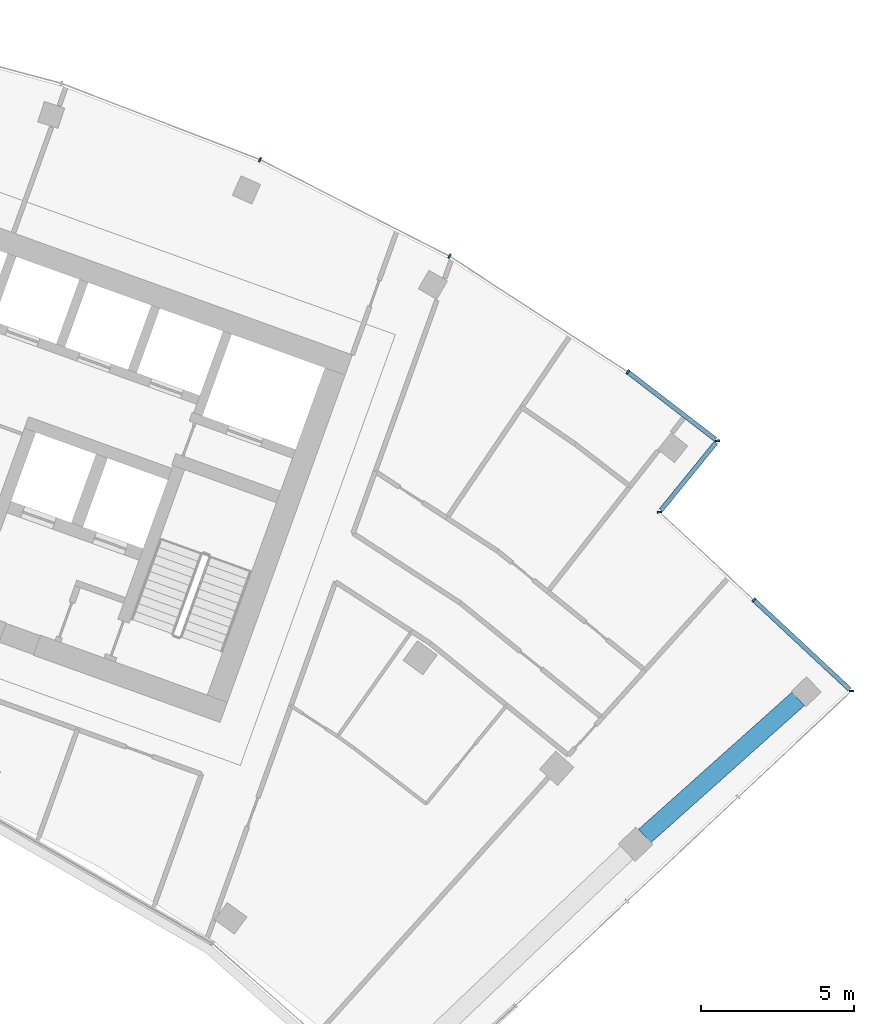
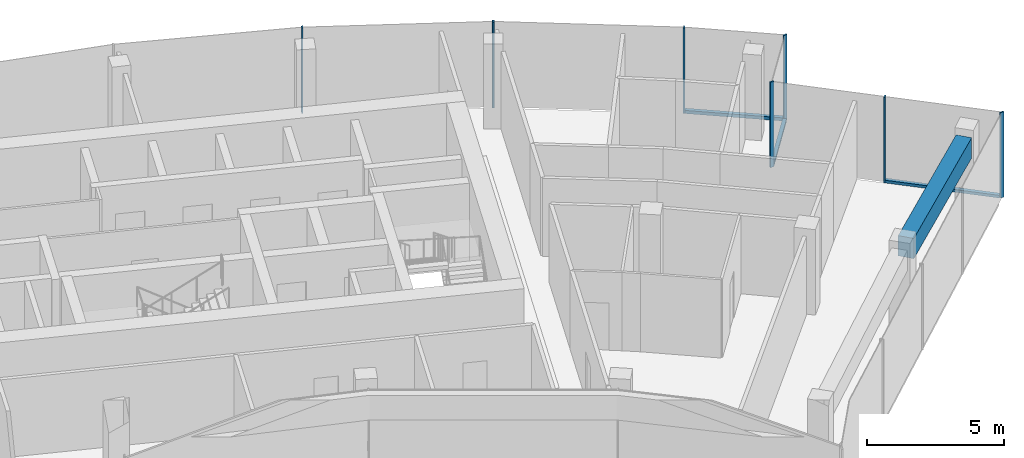
# One storey, part 9 of 18: 10 members, 1 beam, 3 elements without a shape of their own.
"""IFC4 building model written with IfcOpenShell, lengths in metres."""

from ifc_helpers import new_model, si_unit, direction, frame, origin, origin_2d, place, context, subcontext, project, spatial, rectangle, extrude, material, layer, layer_set, material_profile, profile_set, type_object, element, aggregate, save


model = new_model("IFC4")

# Units and contexts
model_context = context("Model", 3, precision=1e-05, world=origin(), true_north=direction((0.0, 1.0)))
body_context = subcontext(model_context, "Body", "Model", "MODEL_VIEW")
ifc_project = project(units=[si_unit("LENGTHUNIT", "METRE"), si_unit("AREAUNIT", "SQUARE_METRE"), si_unit("VOLUMEUNIT", "CUBIC_METRE"), si_unit("PLANEANGLEUNIT", "RADIAN"), si_unit("MASSUNIT", "GRAM", prefix="KILO")], contexts=[model_context])

# Site, building, storey
site_placement = place(None, origin())
site = spatial("IfcSite", under=ifc_project, at=site_placement, CompositionType="ELEMENT")
building_placement = place(site_placement, origin())
building = spatial("IfcBuilding", under=site, at=building_placement, Name="Stone Belt Terrace Tower", CompositionType="ELEMENT")
storey_placement = place(building_placement, frame((0.0, 0.0, 273.199951171875)))
storey = spatial("IfcBuildingStorey", under=building, at=storey_placement, Name="L66", CompositionType="ELEMENT", Elevation=273.199951171875)

# Curtain wall, members
ifc_material_1 = material(Name="Aluminium 6063-T6 anodised frame", Category="aluminium")
ifc_layer_1 = layer(ifc_material_1, 0.14990234375)
ifc_layer_set_1 = layer_set([ifc_layer_1], Name="CW-A unitised convex-face curtain wall")
curtain_wall_type_1 = type_object("IfcCurtainWallType", Name="CW-A unitised convex-face curtain wall", PredefinedType="NOTDEFINED", material=ifc_layer_set_1)
curtain_wall_1_placement = place(storey_placement, origin())
curtain_wall_1 = element("IfcCurtainWall", 1, at=curtain_wall_1_placement, inside=storey, type_object=curtain_wall_type_1, Name="CW-A convex face L66", PredefinedType="NOTDEFINED")
ifc_material_profile_1 = material_profile(ifc_material_1, rectangle(XDim=0.14990234375, YDim=0.06005859375, at=origin_2d()), Name="Aluminium 6063-T6 60x150")
ifc_profile_set_1 = profile_set([ifc_material_profile_1], Name="Aluminium 6063-T6 anodised frame")
member_type_1 = type_object("IfcMemberType", Name="CW-A mullion 60 x 150", PredefinedType="MULLION", material=ifc_profile_set_1)
member_1_placement = place(storey_placement, frame((42.068359375, 51.60205078125, 0.0), z_axis=(0.0, 0.0, 1.0), x_axis=(-0.993258004644, -0.115924700604, 0.0)))
member_1 = element("IfcMember", 2, at=member_1_placement, type_object=member_type_1, Name="CW-A mullion 1", PredefinedType="MULLION", context=body_context, shape_type="SweptSolid", body=[
    extrude(rectangle(XDim=0.14990234375, YDim=0.06005859375, at=origin_2d()), origin(), (0.0, 0.0, 1.0), 3.800048828125),
])
member_2_placement = place(storey_placement, frame((39.131103515625, 53.86083984375, 0.0), z_axis=(0.0, 0.0, 1.0), x_axis=(-0.577587125789, -0.816329046477, 0.0)))
member_2 = element("IfcMember", 3, at=member_2_placement, type_object=member_type_1, Name="CW-A mullion 2", PredefinedType="MULLION", context=body_context, shape_type="SweptSolid", body=[
    extrude(rectangle(XDim=0.14990234375, YDim=0.06005859375, at=origin_2d()), origin(), (0.0, 0.0, 1.0), 3.800048828125),
])
member_3_placement = place(storey_placement, frame((33.28759765625, 57.65576171875, 0.0), z_axis=(0.0, 0.0, 1.0), x_axis=(-0.5, -0.866025403784, 0.0)))
member_3 = element("IfcMember", 4, at=member_3_placement, type_object=member_type_1, Name="CW-A mullion 3", PredefinedType="MULLION", context=body_context, shape_type="SweptSolid", body=[
    extrude(rectangle(XDim=0.14990234375, YDim=0.06005859375, at=origin_2d()), origin(), (0.0, 0.0, 1.0), 3.800048828125),
])
member_4_placement = place(storey_placement, frame((27.07861328125, 60.8193359375, 0.0), z_axis=(0.0, 0.0, 1.0), x_axis=(-0.406736643076, -0.913545457643, 0.0)))
member_4 = element("IfcMember", 5, at=member_4_placement, type_object=member_type_1, Name="CW-A mullion 4", PredefinedType="MULLION", context=body_context, shape_type="SweptSolid", body=[
    extrude(rectangle(XDim=0.14990234375, YDim=0.06005859375, at=origin_2d()), origin(), (0.0, 0.0, 1.0), 3.800048828125),
])
ifc_material_profile_2 = material_profile(ifc_material_1, rectangle(XDim=0.14990234375, YDim=0.139892578125, at=origin_2d()), Name="Aluminium 6063-T6 150x140")
ifc_profile_set_2 = profile_set([ifc_material_profile_2], Name="Aluminium 6063-T6 anodised frame")
member_type_2 = type_object("IfcMemberType", Name="CW-A transom 140 x 150", PredefinedType="USERDEFINED", material=ifc_profile_set_2)
member_5_placement = place(storey_placement, frame((42.00927734375, 51.6474609375, 0.070068359375), z_axis=(-0.79269461464, 0.609618936648, 0.0), x_axis=(-0.609618936648, -0.79269461464, 0.0)))
member_5 = element("IfcMember", 6, at=member_5_placement, type_object=member_type_2, Name="CW-A transom 1.1", ObjectType="TRANSOM", PredefinedType="USERDEFINED", context=body_context, shape_type="SweptSolid", body=[
    extrude(rectangle(XDim=0.14990234375, YDim=0.139892578125, at=origin_2d()), origin(), (0.0, 0.0, 1.0), 3.597900390625),
])
aggregate(curtain_wall_1, [member_1, member_2, member_3, member_4, member_5])

ifc_layer_2 = layer(ifc_material_1, 0.14990234375)
ifc_layer_set_2 = layer_set([ifc_layer_2], Name="CW-C stick curtain wall, horn ends and notches")
curtain_wall_type_2 = type_object("IfcCurtainWallType", Name="CW-C stick curtain wall, horn ends and notches", PredefinedType="NOTDEFINED", material=ifc_layer_set_2)
curtain_wall_2_placement = place(storey_placement, origin())
curtain_wall_2 = element("IfcCurtainWall", 7, at=curtain_wall_2_placement, inside=storey, type_object=curtain_wall_type_2, Name="CW-C notch face L66", PredefinedType="NOTDEFINED")
ifc_material_profile_3 = material_profile(ifc_material_1, rectangle(XDim=0.14990234375, YDim=0.06005859375, at=origin_2d()), Name="Aluminium 6063-T6 60x150")
ifc_profile_set_3 = profile_set([ifc_material_profile_3], Name="Aluminium 6063-T6 anodised frame")
member_type_3 = type_object("IfcMemberType", Name="CW-C mullion 60 x 150", PredefinedType="MULLION", material=ifc_profile_set_3)
member_6_placement = place(storey_placement, frame((46.458740234375, 43.405517578125, 0.0), z_axis=(0.0, 0.0, 1.0), x_axis=(-0.999999447771, -0.00105093149, 0.0)))
member_6 = element("IfcMember", 8, at=member_6_placement, type_object=member_type_3, Name="CW-C mullion 1", PredefinedType="MULLION", context=body_context, shape_type="SweptSolid", body=[
    extrude(rectangle(XDim=0.14990234375, YDim=0.06005859375, at=origin_2d()), origin(), (0.0, 0.0, 1.0), 3.800048828125),
])
member_7_placement = place(storey_placement, frame((43.260009765625, 46.388671875, 0.0), z_axis=(0.0, 0.0, 1.0), x_axis=(-0.682013767261, -0.731339333871, 0.0)))
member_7 = element("IfcMember", 9, at=member_7_placement, type_object=member_type_3, Name="CW-C mullion 2", PredefinedType="MULLION", context=body_context, shape_type="SweptSolid", body=[
    extrude(rectangle(XDim=0.14990234375, YDim=0.06005859375, at=origin_2d()), origin(), (0.0, 0.0, 1.0), 3.800048828125),
])

# Curtain wall, member
curtain_wall_3_placement = place(storey_placement, origin())
curtain_wall_3 = element("IfcCurtainWall", 10, at=curtain_wall_3_placement, inside=storey, type_object=curtain_wall_type_2, Name="CW-C notch face L66", PredefinedType="NOTDEFINED")
member_8_placement = place(storey_placement, frame((40.1708984375, 49.269287109375, 0.0), z_axis=(0.0, 0.0, 1.0), x_axis=(-0.997639702696, -0.068666029474, 0.0)))
member_8 = element("IfcMember", 11, at=member_8_placement, type_object=member_type_3, Name="CW-C mullion 1", PredefinedType="MULLION", context=body_context, shape_type="SweptSolid", body=[
    extrude(rectangle(XDim=0.14990234375, YDim=0.06005859375, at=origin_2d()), origin(), (0.0, 0.0, 1.0), 3.800048828125),
])

# Member
ifc_material_profile_4 = material_profile(ifc_material_1, rectangle(XDim=0.14990234375, YDim=0.1201171875, at=origin_2d()), Name="Aluminium 6063-T6 150x120")
ifc_profile_set_4 = profile_set([ifc_material_profile_4], Name="Aluminium 6063-T6 anodised frame")
member_type_4 = type_object("IfcMemberType", Name="CW-C transom 120 x 150", PredefinedType="USERDEFINED", material=ifc_profile_set_4)
member_9_placement = place(storey_placement, frame((46.40380859375, 43.456787109375, 0.06005859375), z_axis=(-0.731353784958, 0.681998270693, 0.0), x_axis=(-0.681998270693, -0.731353784958, 0.0)))
member_9 = element("IfcMember", 12, at=member_9_placement, type_object=member_type_4, Name="CW-C transom 1.1", ObjectType="TRANSOM", PredefinedType="USERDEFINED", context=body_context, shape_type="SweptSolid", body=[
    extrude(rectangle(XDim=0.14990234375, YDim=0.1201171875, at=origin_2d()), origin(), (0.0, 0.0, 1.0), 4.268798828125),
])

aggregate(curtain_wall_2, [member_6, member_7, member_9])

member_10_placement = place(storey_placement, frame((40.217041015625, 49.325927734375, 0.06005859375), z_axis=(0.631026504781, 0.775761271439, 0.0), x_axis=(-0.775761271439, 0.631026504781, 0.0)))
member_10 = element("IfcMember", 13, at=member_10_placement, type_object=member_type_4, Name="CW-C transom 1.1", ObjectType="TRANSOM", PredefinedType="USERDEFINED", context=body_context, shape_type="SweptSolid", body=[
    extrude(rectangle(XDim=0.14990234375, YDim=0.1201171875, at=origin_2d()), origin(), (0.0, 0.0, 1.0), 2.859130859375),
])

aggregate(curtain_wall_3, [member_8, member_10])

# Beam
ifc_material_2 = material(Name="Concrete B60", Category="concrete")
ifc_material_profile_5 = material_profile(ifc_material_2, rectangle(XDim=0.60009765625, YDim=0.89990234375, at=origin_2d()), Name="RC 600x900")
ifc_profile_set_5 = profile_set([ifc_material_profile_5], Name="Concrete B60")
beam_type = type_object("IfcBeamType", Name="Edge beam RC 600x900 B60", PredefinedType="SPANDREL", material=ifc_profile_set_5)
beam_placement = place(storey_placement, frame((39.68701171875, 38.65380859375, 3.030029296875), z_axis=(0.745651125692, 0.666336550666, 0.0), x_axis=(-0.666336550666, 0.745651125692, 0.0)))
element("IfcBeam", 14, at=beam_placement, inside=storey, type_object=beam_type, Name="Edge beam L66 B Q to R", PredefinedType="SPANDREL", context=body_context, shape_type="SweptSolid", body=[
    extrude(rectangle(XDim=0.60009765625, YDim=0.89990234375, at=origin_2d()), origin(), (0.0, 0.0, 1.0), 6.744140625),
])

save(model, "model.ifc")
